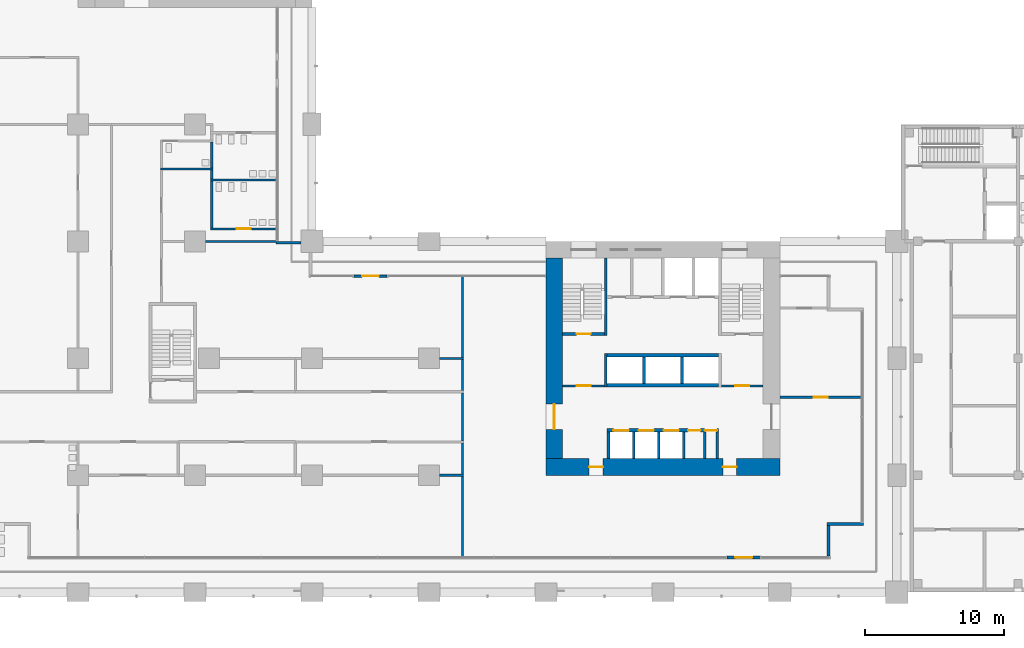
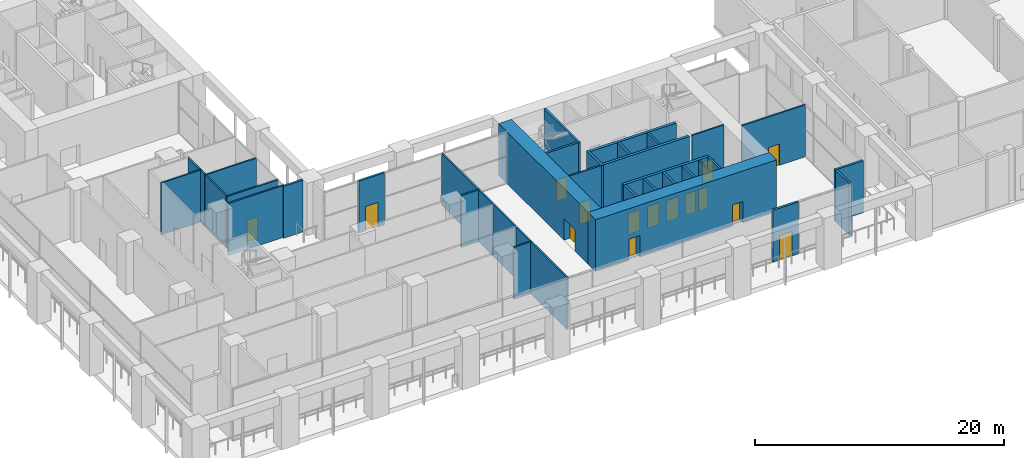
# One storey, part 16 of 33: 38 walls, 15 doors, 15 openings.
"""IFC4 building model written with IfcOpenShell, lengths in metres."""

import ifcopenshell
import ifcopenshell.guid

model = None  # the IFC model being written
_history = None  # IfcOwnerHistory: only IFC2X3 demands one
_inside = {}  # id of a spatial element -> (the spatial element, [elements in it])
_under = {}  # id of a project, library or spatial element -> (it, [spatial elements below it])
_declared = {}  # id of a project -> (the project, [libraries it declares])
_typed = {}  # id of a type object -> (the type object, [elements of that type])
_made_of = {}  # id of a material, layer set ... -> (it, [elements and type objects made of it])


def new_model(schema):
    """Start an empty IFC model of exactly this schema.

    Asked for "IFC4X3", IfcOpenShell would pick the latest addendum, in which some entities
    have other attributes; the version numbers below select the first issue.
    IFC2X3 requires an IfcOwnerHistory on every rooted entity: one is made here for all.
    """
    global model, _history
    if schema == "IFC4X3":
        model = ifcopenshell.file(schema_version=(4, 3, 0, 0))
    else:
        model = ifcopenshell.file(schema=schema)
    _inside.clear()
    _under.clear()
    _declared.clear()
    _typed.clear()
    _made_of.clear()
    _history = None
    if model.schema == "IFC2X3":
        org = make("IfcOrganization", Name="unknown")
        user = make(
            "IfcPersonAndOrganization",
            ThePerson=make("IfcPerson", FamilyName="unknown"),
            TheOrganization=org,
        )
        app = make(
            "IfcApplication",
            ApplicationDeveloper=org,
            Version="unknown",
            ApplicationFullName="unknown",
            ApplicationIdentifier="unknown",
        )
        _history = make(
            "IfcOwnerHistory",
            OwningUser=user,
            OwningApplication=app,
            ChangeAction="ADDED",
            CreationDate=0,
        )
    return model


def make(cls, **values):
    """One entity of the class cls with the attributes given. An attribute that is None is left unset."""
    return model.create_entity(
        cls, **{name: value for name, value in values.items() if value is not None}
    )


def rooted(cls, **values):
    """An entity with a GlobalId (a new one), such as an element, a storey or a relation."""
    return make(cls, GlobalId=ifcopenshell.guid.new(), OwnerHistory=_history, **values)


def si_unit(unit_type, name, prefix=None):
    """IfcSIUnit, for example si_unit("LENGTHUNIT", "METRE", prefix="MILLI")."""
    return make("IfcSIUnit", UnitType=unit_type, Prefix=prefix, Name=name)


def assignment(units):
    """IfcUnitAssignment: the units of a project."""
    return None if units is None else make("IfcUnitAssignment", Units=units)


def point(xyz):
    """IfcCartesianPoint."""
    return None if xyz is None else make("IfcCartesianPoint", Coordinates=xyz)


def direction(xyz):
    """IfcDirection."""
    return None if xyz is None else make("IfcDirection", DirectionRatios=xyz)


def frame(location, z_axis=None, x_axis=None):
    """IfcAxis2Placement3D, a coordinate frame: its origin and axes. An axis left out is left unset."""
    return make(
        "IfcAxis2Placement3D",
        Location=point(location),
        Axis=direction(z_axis),
        RefDirection=direction(x_axis),
    )


def frame_2d(location, x_axis=None):
    """IfcAxis2Placement2D, a coordinate frame in the plane: its origin and x axis."""
    return make(
        "IfcAxis2Placement2D", Location=point(location), RefDirection=direction(x_axis)
    )


def origin():
    """The frame at (0, 0, 0) with its axes left unset."""
    return frame((0.0, 0.0, 0.0))


def place(relative_to, where):
    """IfcLocalPlacement: puts the frame where relative to a parent placement (None: the world)."""
    return make(
        "IfcLocalPlacement", PlacementRelTo=relative_to, RelativePlacement=where
    )


def context(
    kind, dimensions, precision=None, world=None, true_north=None, identifier=None
):
    """IfcGeometricRepresentationContext, for example the 3D "Model" context."""
    return make(
        "IfcGeometricRepresentationContext",
        ContextIdentifier=identifier,
        ContextType=kind,
        CoordinateSpaceDimension=dimensions,
        Precision=precision,
        WorldCoordinateSystem=world,
        TrueNorth=true_north,
    )


def subcontext(parent, identifier, kind, view, scale=None):
    """IfcGeometricRepresentationSubContext, for example "Body" below "Model"."""
    return make(
        "IfcGeometricRepresentationSubContext",
        ContextIdentifier=identifier,
        ContextType=kind,
        ParentContext=parent,
        TargetScale=scale,
        TargetView=view,
    )


def project(units=None, contexts=None):
    """IfcProject with its units and contexts."""
    return rooted(
        "IfcProject",
        Name="project",
        RepresentationContexts=contexts,
        UnitsInContext=assignment(units),
    )


def spatial(cls, under=None, at=None, **own):
    """A site, building, storey or space (cls), placed at a placement, below another one or the project."""
    s = rooted(cls, ObjectPlacement=at, **own)
    if under is not None:
        _under.setdefault(under.id(), (under, []))[1].append(s)
    return s


def profile(cls, at=None, kind="AREA", **sizes):
    """A parametric profile (cls). Its sizes go by their IFC names, for example OverallWidth=200.0."""
    return make(cls, ProfileType=kind, Position=at, **sizes)


def rectangle(**sizes):
    """IfcRectangleProfileDef."""
    return profile("IfcRectangleProfileDef", **sizes)


def extrude(swept, where, along, depth):
    """IfcExtrudedAreaSolid: the profile swept, set in the frame where, extruded along a direction by depth."""
    return make(
        "IfcExtrudedAreaSolid",
        SweptArea=swept,
        Position=where,
        ExtrudedDirection=direction(along),
        Depth=depth,
    )


def shape(context_of_items, identifier, shape_type, items):
    """IfcShapeRepresentation: the items that make up one representation, for example the "Body"."""
    return make(
        "IfcShapeRepresentation",
        ContextOfItems=context_of_items,
        RepresentationIdentifier=identifier,
        RepresentationType=shape_type,
        Items=items,
    )


def material(Name=None, Category=None):
    """IfcMaterial."""
    return make("IfcMaterial", Name=Name, Category=Category)


def layer(
    of_material, thickness, ventilated=None, Name=None, Category=None, Priority=None
):
    """IfcMaterialLayer: one layer of a wall or slab, of a material (None: an air gap)."""
    return make(
        "IfcMaterialLayer",
        Material=of_material,
        LayerThickness=thickness,
        IsVentilated=ventilated,
        Name=Name,
        Category=Category,
        Priority=Priority,
    )


def layer_set(layers, Name=None):
    """IfcMaterialLayerSet."""
    return make("IfcMaterialLayerSet", MaterialLayers=layers, LayerSetName=Name)


def made_of(thing, what):
    """Note that an element or type object is made of a material, layer set ...; save() writes the relation."""
    if what is not None:
        _made_of.setdefault(what.id(), (what, []))[1].append(thing)
    return thing


def type_object(cls, material=None, **own):
    """A type object (cls), such as IfcWallType, which elements share."""
    return made_of(rooted(cls, **own), material)


def element(
    cls,
    number,
    at=None,
    inside=None,
    cuts=None,
    type_object=None,
    material=None,
    context=None,
    identifier="Body",
    shape_type=None,
    held_by="IfcProductDefinitionShape",
    body=None,
    shapes=None,
    **own,
):
    """One element of the class cls, such as IfcWall. Its Tag is "e" and its number.

    at: its placement. inside: the storey or other place that contains it. cuts: it is an
    opening in that element (IfcRelVoidsElement). A single representation is given by context,
    identifier, shape_type and body (its items); several are given by shapes. held_by: the class
    of the entity that holds the representations. save() writes the other relations.
    """
    e = rooted(cls, Tag="e%d" % number, ObjectPlacement=at, **own)
    if body is not None:
        shapes = [shape(context, identifier, shape_type, body)]
    if shapes is not None:
        e.Representation = make(held_by, Representations=shapes)
    if inside is not None:
        _inside.setdefault(inside.id(), (inside, []))[1].append(e)
    if cuts is not None:
        rooted(
            "IfcRelVoidsElement", RelatingBuildingElement=cuts, RelatedOpeningElement=e
        )
    if type_object is not None:
        _typed.setdefault(type_object.id(), (type_object, []))[1].append(e)
    return made_of(e, material)


def fill(opening, filler):
    """IfcRelFillsElement: the door or window that sits in an opening."""
    return rooted(
        "IfcRelFillsElement",
        RelatingOpeningElement=opening,
        RelatedBuildingElement=filler,
    )


def aggregate(whole, parts):
    """IfcRelAggregates: a whole, such as a stair, and the parts it consists of."""
    return rooted("IfcRelAggregates", RelatingObject=whole, RelatedObjects=parts)


def save(model, path):
    """Write the relations noted so far, then the file.

    IfcRelAggregates (storeys below a building ...), IfcRelContainedInSpatialStructure (elements
    in a storey), IfcRelDefinesByType, IfcRelAssociatesMaterial and IfcRelDeclares: one each for
    every whole, place, type object, material and project.
    """
    for whole, parts in _under.values():
        aggregate(whole, parts)
    for where, things in _inside.values():
        rooted(
            "IfcRelContainedInSpatialStructure",
            RelatedElements=things,
            RelatingStructure=where,
        )
    for kind, things in _typed.values():
        rooted("IfcRelDefinesByType", RelatedObjects=things, RelatingType=kind)
    for what, things in _made_of.values():
        rooted("IfcRelAssociatesMaterial", RelatedObjects=things, RelatingMaterial=what)
    for by, libraries in _declared.values():
        rooted("IfcRelDeclares", RelatingContext=by, RelatedDefinitions=libraries)
    model.write(path)


model = new_model("IFC4")

# Units and contexts
model_context = context("Model", 3, precision=1e-05, world=origin(), true_north=direction((0.0, 1.0)))
body_context = subcontext(model_context, "Body", "Model", "MODEL_VIEW")
ifc_project = project(units=[si_unit("LENGTHUNIT", "METRE"), si_unit("AREAUNIT", "SQUARE_METRE"), si_unit("VOLUMEUNIT", "CUBIC_METRE"), si_unit("PLANEANGLEUNIT", "RADIAN"), si_unit("MASSUNIT", "GRAM", prefix="KILO")], contexts=[model_context])

# Site, building, storey
site_placement = place(None, origin())
site = spatial("IfcSite", under=ifc_project, at=site_placement, CompositionType="ELEMENT")
building_placement = place(site_placement, origin())
building = spatial("IfcBuilding", under=site, at=building_placement, Name="Vermilion Gate Residences", CompositionType="ELEMENT")
storey_placement = place(building_placement, frame((0.0, 0.0, 14.39990234375)))
storey = spatial("IfcBuildingStorey", under=building, at=storey_placement, Name="L02", CompositionType="ELEMENT", Elevation=14.39990234375)

# Wall
ifc_material_1 = material(Name="Masonry blockwork", Category="masonry")
ifc_layer_1 = layer(ifc_material_1, 0.14990234375)
ifc_layer_set_1 = layer_set([ifc_layer_1], Name="BLOCKWORK PARTITION 150 EI 120")
wall_type_1 = type_object("IfcWallType", Name="BLOCKWORK PARTITION 150 EI 120", PredefinedType="PARTITIONING", material=ifc_layer_set_1)
wall_1_placement = place(storey_placement, frame((53.407470703125, 9.60009765625, 0.0), z_axis=(0.0, 0.0, 1.0), x_axis=(0.0, 1.0, 0.0)))
element("IfcWall", 1, at=wall_1_placement, inside=storey, type_object=wall_type_1, Name="Core room partition A02-SR-P0", PredefinedType="PARTITIONING", context=body_context, shape_type="SweptSolid", body=[
    extrude(rectangle(XDim=1.89990234375, YDim=0.14990234375, at=frame_2d((0.949951171875, 0.0))), origin(), (0.0, 0.0, 1.0), 5.10009765625),
])

# Wall, opening, door
wall_2_placement = place(storey_placement, frame((43.199951171875, 14.824951171875, 0.0), z_axis=(0.0, 0.0, 1.0), x_axis=(1.0, 0.0, 0.0)))
wall_2 = element("IfcWall", 2, at=wall_2_placement, inside=storey, type_object=wall_type_1, Name="Core room partition A02-VW-S", PredefinedType="PARTITIONING", context=body_context, shape_type="SweptSolid", body=[
    extrude(rectangle(XDim=3.0, YDim=0.14990234375, at=frame_2d((1.5, 0.0))), origin(), (0.0, 0.0, 1.0), 5.10009765625),
])
opening_1_placement = place(wall_2_placement, frame((1.0, 0.0, 0.0)))
opening_1 = element("IfcOpeningElement", 3, at=opening_1_placement, cuts=wall_2, Name="Opening DK02014", PredefinedType="OPENING", context=body_context, shape_type="SweptSolid", body=[
    extrude(rectangle(XDim=1.0, YDim=2.10009765625, at=frame_2d((0.5, 1.050048828125))), frame((0.0, 0.0849609375, 0.0), z_axis=(0.0, -1.0, 0.0), x_axis=(1.0, 0.0, 0.0)), (0.0, 0.0, 1.0), 0.169921875),
])
ifc_material_2 = material(Name="Steel", Category="steel")
door_type_1 = type_object("IfcDoorType", Name="FIRE DOOR FD60 1000 X 2100", OperationType="SINGLE_SWING_LEFT", PredefinedType="DOOR", material=ifc_material_2)
door_1_placement = place(opening_1_placement, frame((1.0, 0.0, 0.0), z_axis=(0.0, 0.0, 1.0), x_axis=(-1.0, 0.0, 0.0)))
door_1 = element("IfcDoor", 4, at=door_1_placement, inside=storey, type_object=door_type_1, Name="Stair vestibule door A02", OperationType="SINGLE_SWING_RIGHT", OverallHeight=2.10009765625, OverallWidth=1.0, PredefinedType="DOOR", context=body_context, shape_type="SweptSolid", body=[
    extrude(rectangle(XDim=1.0, YDim=2.10009765625, at=frame_2d((0.5, 1.050048828125))), frame((0.0, 0.02490234375, 0.0), z_axis=(0.0, -1.0, 0.0), x_axis=(1.0, 0.0, 0.0)), (0.0, 0.0, 1.0), 0.050048828125),
])
fill(opening_1, door_1)

wall_3_placement = place(storey_placement, frame((54.60009765625, 14.824951171875, 0.0), z_axis=(0.0, 0.0, 1.0), x_axis=(1.0, 0.0, 0.0)))
wall_3 = element("IfcWall", 5, at=wall_3_placement, inside=storey, type_object=wall_type_1, Name="Core room partition A02-VE-S", PredefinedType="PARTITIONING", context=body_context, shape_type="SweptSolid", body=[
    extrude(rectangle(XDim=3.0, YDim=0.14990234375, at=frame_2d((1.5, 0.0))), origin(), (0.0, 0.0, 1.0), 5.10009765625),
])
opening_2_placement = place(wall_3_placement, frame((1.0, 0.0, 0.0)))
opening_2 = element("IfcOpeningElement", 6, at=opening_2_placement, cuts=wall_3, Name="Opening DK02016", PredefinedType="OPENING", context=body_context, shape_type="SweptSolid", body=[
    extrude(rectangle(XDim=1.0, YDim=2.10009765625, at=frame_2d((0.5, 1.050048828125))), frame((0.0, 0.0849609375, 0.0), z_axis=(0.0, -1.0, 0.0), x_axis=(1.0, 0.0, 0.0)), (0.0, 0.0, 1.0), 0.169921875),
])
door_2_placement = place(opening_2_placement, frame((1.0, 0.0, 0.0), z_axis=(0.0, 0.0, 1.0), x_axis=(-1.0, 0.0, 0.0)))
door_2 = element("IfcDoor", 7, at=door_2_placement, inside=storey, type_object=door_type_1, Name="Stair vestibule door A02", OperationType="SINGLE_SWING_LEFT", OverallHeight=2.10009765625, OverallWidth=1.0, PredefinedType="DOOR", context=body_context, shape_type="SweptSolid", body=[
    extrude(rectangle(XDim=1.0, YDim=2.10009765625, at=frame_2d((0.5, 1.050048828125))), frame((0.0, 0.02490234375, 0.0), z_axis=(0.0, -1.0, 0.0), x_axis=(1.0, 0.0, 0.0)), (0.0, 0.0, 1.0), 0.050048828125),
])
fill(opening_2, door_2)

ifc_material_3 = material(Name="Insulated steel stud wall with terracotta rainscreen", Category="masonry")
ifc_layer_2 = layer(ifc_material_3, 0.199951171875)
ifc_layer_set_2 = layer_set([ifc_layer_2], Name="EXTERNAL WALL 200 TERRACOTTA RAINSCREEN")
wall_type_2 = type_object("IfcWallType", Name="EXTERNAL WALL 200 TERRACOTTA RAINSCREEN", PredefinedType="SOLIDWALL", material=ifc_layer_set_2)
wall_4_placement = place(storey_placement, frame((55.0, 2.5, 0.0), z_axis=(0.0, 0.0, 1.0), x_axis=(1.0, 0.0, 0.0)))
wall_4 = element("IfcWall", 8, at=wall_4_placement, inside=storey, type_object=wall_type_2, Name="External wall", PredefinedType="SOLIDWALL", context=body_context, shape_type="SweptSolid", body=[
    extrude(rectangle(XDim=2.39990234375, YDim=0.199951171875, at=frame_2d((1.199951171875, 0.0))), origin(), (0.0, 0.0, 1.0), 5.10009765625),
])
opening_3_placement = place(wall_4_placement, frame((0.60009765625, 0.0, 0.0)))
opening_3 = element("IfcOpeningElement", 9, at=opening_3_placement, cuts=wall_4, Name="Opening DE02001", PredefinedType="OPENING", context=body_context, shape_type="SweptSolid", body=[
    extrude(rectangle(XDim=1.199951171875, YDim=2.39990234375, at=frame_2d((0.60009765625, 1.199951171875))), frame((0.0, 0.10986328125, 0.0), z_axis=(0.0, -1.0, 0.0), x_axis=(1.0, 0.0, 0.0)), (0.0, 0.0, 1.0), 0.219970703125),
])
ifc_material_4 = material(Name="Aluminium and clear glass", Category="aluminium")
door_type_2 = type_object("IfcDoorType", Name="GLAZED EXTERNAL DOOR 1200 X 2400", OperationType="SINGLE_SWING_LEFT", PredefinedType="DOOR", material=ifc_material_4)
door_3_placement = place(opening_3_placement, frame((1.199951171875, 0.0, 0.0), z_axis=(0.0, 0.0, 1.0), x_axis=(-1.0, 0.0, 0.0)))
door_3 = element("IfcDoor", 10, at=door_3_placement, inside=storey, type_object=door_type_2, Name="Terrace door", OperationType="SINGLE_SWING_RIGHT", OverallHeight=2.39990234375, OverallWidth=1.199951171875, PredefinedType="DOOR", context=body_context, shape_type="SweptSolid", body=[
    extrude(rectangle(XDim=1.199951171875, YDim=2.39990234375, at=frame_2d((0.60009765625, 1.199951171875))), frame((0.0, 0.02490234375, 0.0), z_axis=(0.0, -1.0, 0.0), x_axis=(1.0, 0.0, 0.0)), (0.0, 0.0, 1.0), 0.050048828125),
])
fill(opening_3, door_3)

# Walls
wall_5_placement = place(storey_placement, frame((62.300048828125, 2.60009765625, 0.0), z_axis=(0.0, 0.0, 1.0), x_axis=(0.0, 1.0, 0.0)))
element("IfcWall", 11, at=wall_5_placement, inside=storey, type_object=wall_type_2, Name="External wall", PredefinedType="SOLIDWALL", context=body_context, shape_type="SweptSolid", body=[
    extrude(rectangle(XDim=2.199951171875, YDim=0.199951171875, at=frame_2d((1.10009765625, 0.0))), origin(), (0.0, 0.0, 1.0), 5.10009765625),
])
wall_6_placement = place(storey_placement, frame((62.199951171875, 4.89990234375, 0.0), z_axis=(0.0, 0.0, 1.0), x_axis=(1.0, 0.0, 0.0)))
element("IfcWall", 12, at=wall_6_placement, inside=storey, type_object=wall_type_2, Name="External wall", PredefinedType="SOLIDWALL", context=body_context, shape_type="SweptSolid", body=[
    extrude(rectangle(XDim=2.60009765625, YDim=0.199951171875, at=frame_2d((1.300048828125, 0.0))), origin(), (0.0, 0.0, 1.0), 5.10009765625),
])

# Wall, opening, door
wall_7_placement = place(storey_placement, frame((30.60009765625, 22.699951171875, 0.0), z_axis=(0.0, 0.0, 1.0), x_axis=(-1.0, 0.0, 0.0)))
wall_7 = element("IfcWall", 13, at=wall_7_placement, inside=storey, type_object=wall_type_2, Name="External wall", PredefinedType="SOLIDWALL", context=body_context, shape_type="SweptSolid", body=[
    extrude(rectangle(XDim=2.400146484375, YDim=0.199951171875, at=frame_2d((1.2001953125, 0.0))), origin(), (0.0, 0.0, 1.0), 5.10009765625),
])
opening_4_placement = place(wall_7_placement, frame((0.60009765625, 0.0, 0.0)))
opening_4 = element("IfcOpeningElement", 14, at=opening_4_placement, cuts=wall_7, Name="Opening DE02002", PredefinedType="OPENING", context=body_context, shape_type="SweptSolid", body=[
    extrude(rectangle(XDim=1.199951171875, YDim=2.39990234375, at=frame_2d((0.60009765625, 1.199951171875))), frame((0.0, 0.10986328125, 0.0), z_axis=(0.0, -1.0, 0.0), x_axis=(1.0, 0.0, 0.0)), (0.0, 0.0, 1.0), 0.219970703125),
])
door_4_placement = place(opening_4_placement, frame((1.199951171875, 0.0, 0.0), z_axis=(0.0, 0.0, 1.0), x_axis=(-1.0, 0.0, 0.0)))
door_4 = element("IfcDoor", 15, at=door_4_placement, inside=storey, type_object=door_type_2, Name="Terrace door", OperationType="SINGLE_SWING_RIGHT", OverallHeight=2.39990234375, OverallWidth=1.199951171875, PredefinedType="DOOR", context=body_context, shape_type="SweptSolid", body=[
    extrude(rectangle(XDim=1.199951171875, YDim=2.39990234375, at=frame_2d((0.60009765625, 1.199951171875))), frame((0.0, 0.02490234375, 0.0), z_axis=(0.0, -1.0, 0.0), x_axis=(1.0, 0.0, 0.0)), (0.0, 0.0, 1.0), 0.050048828125),
])
fill(opening_4, door_4)

# Walls
wall_8_placement = place(storey_placement, frame((24.39990234375, 25.10009765625, 0.0), z_axis=(0.0, 0.0, 1.0), x_axis=(-1.0, 0.0, 0.0)))
element("IfcWall", 16, at=wall_8_placement, inside=storey, type_object=wall_type_2, Name="External wall", PredefinedType="SOLIDWALL", context=body_context, shape_type="SweptSolid", body=[
    extrude(rectangle(XDim=1.7998046875, YDim=0.199951171875, at=frame_2d((0.89990234375, 0.0))), origin(), (0.0, 0.0, 1.0), 5.10009765625),
])
ifc_material_5 = material(Name="Gypsum board on steel studs", Category="steel")
ifc_layer_3 = layer(ifc_material_5, 0.14990234375)
ifc_layer_set_3 = layer_set([ifc_layer_3], Name="PARTITION 150 EI 60 (AMENITY)")
wall_type_3 = type_object("IfcWallType", Name="PARTITION 150 EI 60 (AMENITY)", PredefinedType="PARTITIONING", material=ifc_layer_set_3)
wall_9_placement = place(storey_placement, frame((17.550048828125, 25.199951171875, 0.0), z_axis=(0.0, 0.0, 1.0), x_axis=(1.0, 0.0, 0.0)))
element("IfcWall", 17, at=wall_9_placement, inside=storey, type_object=wall_type_3, Name="Partition 21", PredefinedType="PARTITIONING", context=body_context, shape_type="SweptSolid", body=[
    extrude(rectangle(XDim=5.14990234375, YDim=0.14990234375, at=frame_2d((2.574951171875, 0.0))), origin(), (0.0, 0.0, 1.0), 5.10009765625),
])
wall_10_placement = place(storey_placement, frame((14.324951171875, 30.39990234375, 0.0), z_axis=(0.0, 0.0, 1.0), x_axis=(1.0, 0.0, 0.0)))
element("IfcWall", 18, at=wall_10_placement, inside=storey, type_object=wall_type_3, Name="Partition 23", PredefinedType="PARTITIONING", context=body_context, shape_type="SweptSolid", body=[
    extrude(rectangle(XDim=3.75, YDim=0.14990234375, at=frame_2d((1.875, 0.0))), origin(), (0.0, 0.0, 1.0), 5.10009765625),
])
wall_11_placement = place(storey_placement, frame((18.0, 26.175048828125, 0.0), z_axis=(0.0, 0.0, 1.0), x_axis=(0.0, 1.0, 0.0)))
element("IfcWall", 19, at=wall_11_placement, inside=storey, type_object=wall_type_3, Name="Partition 31", PredefinedType="PARTITIONING", context=body_context, shape_type="SweptSolid", body=[
    extrude(rectangle(XDim=3.349853515625, YDim=0.14990234375, at=frame_2d((1.6748046875, 0.0))), origin(), (0.0, 0.0, 1.0), 5.10009765625),
])

# Wall, opening, door
wall_12_placement = place(storey_placement, frame((17.925048828125, 26.10009765625, 0.0), z_axis=(0.0, 0.0, 1.0), x_axis=(1.0, 0.0, 0.0)))
wall_12 = element("IfcWall", 20, at=wall_12_placement, inside=storey, type_object=wall_type_3, Name="Partition 32", PredefinedType="PARTITIONING", context=body_context, shape_type="SweptSolid", body=[
    extrude(rectangle(XDim=4.77490234375, YDim=0.14990234375, at=frame_2d((2.387451171875, 0.0))), origin(), (0.0, 0.0, 1.0), 5.10009765625),
])
opening_5_placement = place(wall_12_placement, frame((1.887451171875, 0.0, 0.0)))
opening_5 = element("IfcOpeningElement", 21, at=opening_5_placement, cuts=wall_12, Name="Opening DM02012", PredefinedType="OPENING", context=body_context, shape_type="SweptSolid", body=[
    extrude(rectangle(XDim=1.0, YDim=2.10009765625, at=frame_2d((0.5, 1.050048828125))), frame((0.0, 0.0849609375, 0.0), z_axis=(0.0, -1.0, 0.0), x_axis=(1.0, 0.0, 0.0)), (0.0, 0.0, 1.0), 0.169921875),
])
ifc_material_6 = material(Name="Steel", Category="steel")
door_type_3 = type_object("IfcDoorType", Name="DOOR 1000 X 2100 FD30 (AMENITY)", OperationType="SINGLE_SWING_LEFT", PredefinedType="DOOR", material=ifc_material_6)
door_5_placement = place(opening_5_placement, origin())
door_5 = element("IfcDoor", 22, at=door_5_placement, inside=storey, type_object=door_type_3, Name="Door L02 12", OperationType="SINGLE_SWING_LEFT", OverallHeight=2.10009765625, OverallWidth=1.0, PredefinedType="DOOR", context=body_context, shape_type="SweptSolid", body=[
    extrude(rectangle(XDim=1.0, YDim=2.10009765625, at=frame_2d((0.5, 1.050048828125))), frame((0.0, 0.02490234375, 0.0), z_axis=(0.0, -1.0, 0.0), x_axis=(1.0, 0.0, 0.0)), (0.0, 0.0, 1.0), 0.050048828125),
])
fill(opening_5, door_5)

# Walls
wall_13_placement = place(storey_placement, frame((18.0, 29.675048828125, 0.0), z_axis=(0.0, 0.0, 1.0), x_axis=(0.0, 1.0, 0.0)))
element("IfcWall", 23, at=wall_13_placement, inside=storey, type_object=wall_type_3, Name="Partition 33", PredefinedType="PARTITIONING", context=body_context, shape_type="SweptSolid", body=[
    extrude(rectangle(XDim=0.64990234375, YDim=0.14990234375, at=frame_2d((0.324951171875, 0.0))), origin(), (0.0, 0.0, 1.0), 5.10009765625),
])
wall_14_placement = place(storey_placement, frame((17.925048828125, 29.60009765625, 0.0), z_axis=(0.0, 0.0, 1.0), x_axis=(1.0, 0.0, 0.0)))
element("IfcWall", 24, at=wall_14_placement, inside=storey, type_object=wall_type_3, Name="Partition 34", PredefinedType="PARTITIONING", context=body_context, shape_type="SweptSolid", body=[
    extrude(rectangle(XDim=4.77490234375, YDim=0.14990234375, at=frame_2d((2.387451171875, 0.0))), origin(), (0.0, 0.0, 1.0), 5.10009765625),
])
wall_15_placement = place(storey_placement, frame((18.0, 30.47509765625, 0.0), z_axis=(0.0, 0.0, 1.0), x_axis=(0.0, 1.0, 0.0)))
element("IfcWall", 25, at=wall_15_placement, inside=storey, type_object=wall_type_3, Name="Partition 35", PredefinedType="PARTITIONING", context=body_context, shape_type="SweptSolid", body=[
    extrude(rectangle(XDim=1.849853515625, YDim=0.14990234375, at=frame_2d((0.9248046875, 0.0))), origin(), (0.0, 0.0, 1.0), 5.10009765625),
])
for number, where, z_axis, x_axis, name in (
    (26, (34.35009765625, 8.39990234375, 0.0), (0.0, 0.0, 1.0), (1.0, 0.0, 0.0), "Partition 42"),
    (27, (34.35009765625, 16.800048828125, 0.0), (0.0, 0.0, 1.0), (1.0, 0.0, 0.0), "Partition 48"),
):
    element("IfcWall", number, at=place(storey_placement, frame(where, z_axis=z_axis, x_axis=x_axis)), inside=storey, type_object=wall_type_3, Name=name, PredefinedType="PARTITIONING", context=body_context, shape_type="SweptSolid", body=[
        extrude(rectangle(XDim=1.724853515625, YDim=0.14990234375, at=frame_2d((0.8623046875, 0.0))), origin(), (0.0, 0.0, 1.0), 5.10009765625),
    ])
wall_16_placement = place(storey_placement, frame((36.0, 2.5, 0.0), z_axis=(0.0, 0.0, 1.0), x_axis=(0.0, 1.0, 0.0)))
element("IfcWall", 28, at=wall_16_placement, inside=storey, type_object=wall_type_3, Name="Partition 49", PredefinedType="PARTITIONING", context=body_context, shape_type="SweptSolid", body=[
    extrude(rectangle(XDim=5.824951171875, YDim=0.14990234375, at=frame_2d((2.91259765625, 0.0))), origin(), (0.0, 0.0, 1.0), 5.10009765625),
])
wall_17_placement = place(storey_placement, frame((36.0, 8.47509765625, 0.0), z_axis=(0.0, 0.0, 1.0), x_axis=(0.0, 1.0, 0.0)))
element("IfcWall", 29, at=wall_17_placement, inside=storey, type_object=wall_type_3, Name="Partition 50", PredefinedType="PARTITIONING", context=body_context, shape_type="SweptSolid", body=[
    extrude(rectangle(XDim=2.25, YDim=0.14990234375, at=frame_2d((1.125, 0.0))), origin(), (0.0, 0.0, 1.0), 5.10009765625),
])
wall_18_placement = place(storey_placement, frame((36.0, 10.875, 0.0), z_axis=(0.0, 0.0, 1.0), x_axis=(0.0, 1.0, 0.0)))
element("IfcWall", 30, at=wall_18_placement, inside=storey, type_object=wall_type_3, Name="Partition 51", PredefinedType="PARTITIONING", context=body_context, shape_type="SweptSolid", body=[
    extrude(rectangle(XDim=3.449951171875, YDim=0.14990234375, at=frame_2d((1.72509765625, 0.0))), origin(), (0.0, 0.0, 1.0), 5.10009765625),
])
wall_19_placement = place(storey_placement, frame((36.0, 14.47509765625, 0.0), z_axis=(0.0, 0.0, 1.0), x_axis=(0.0, 1.0, 0.0)))
element("IfcWall", 31, at=wall_19_placement, inside=storey, type_object=wall_type_3, Name="Partition 52", PredefinedType="PARTITIONING", context=body_context, shape_type="SweptSolid", body=[
    extrude(rectangle(XDim=2.25, YDim=0.14990234375, at=frame_2d((1.125, 0.0))), origin(), (0.0, 0.0, 1.0), 5.10009765625),
])
wall_20_placement = place(storey_placement, frame((36.0, 16.875, 0.0), z_axis=(0.0, 0.0, 1.0), x_axis=(0.0, 1.0, 0.0)))
element("IfcWall", 32, at=wall_20_placement, inside=storey, type_object=wall_type_3, Name="Partition 53", PredefinedType="PARTITIONING", context=body_context, shape_type="SweptSolid", body=[
    extrude(rectangle(XDim=5.824951171875, YDim=0.14990234375, at=frame_2d((2.91259765625, 0.0))), origin(), (0.0, 0.0, 1.0), 5.10009765625),
])

# Wall, opening, door
wall_21_placement = place(storey_placement, frame((58.800048828125, 14.0, 0.0), z_axis=(0.0, 0.0, 1.0), x_axis=(1.0, 0.0, 0.0)))
wall_21 = element("IfcWall", 33, at=wall_21_placement, inside=storey, type_object=wall_type_3, Name="Partition 54", PredefinedType="PARTITIONING", context=body_context, shape_type="SweptSolid", body=[
    extrude(rectangle(XDim=5.89990234375, YDim=0.14990234375, at=frame_2d((2.949951171875, 0.0))), origin(), (0.0, 0.0, 1.0), 5.10009765625),
])
opening_6_placement = place(wall_21_placement, frame((2.449951171875, 0.0, 0.0)))
opening_6 = element("IfcOpeningElement", 34, at=opening_6_placement, cuts=wall_21, Name="Opening DM02017", PredefinedType="OPENING", context=body_context, shape_type="SweptSolid", body=[
    extrude(rectangle(XDim=1.0, YDim=2.10009765625, at=frame_2d((0.5, 1.050048828125))), frame((0.0, 0.0849609375, 0.0), z_axis=(0.0, -1.0, 0.0), x_axis=(1.0, 0.0, 0.0)), (0.0, 0.0, 1.0), 0.169921875),
])
door_6_placement = place(opening_6_placement, origin())
door_6 = element("IfcDoor", 35, at=door_6_placement, inside=storey, type_object=door_type_3, Name="Door L02 17", OperationType="SINGLE_SWING_RIGHT", OverallHeight=2.10009765625, OverallWidth=1.0, PredefinedType="DOOR", context=body_context, shape_type="SweptSolid", body=[
    extrude(rectangle(XDim=1.0, YDim=2.10009765625, at=frame_2d((0.5, 1.050048828125))), frame((0.0, 0.02490234375, 0.0), z_axis=(0.0, -1.0, 0.0), x_axis=(1.0, 0.0, 0.0)), (0.0, 0.0, 1.0), 0.050048828125),
])
fill(opening_6, door_6)

# Walls
ifc_material_7 = material(Name="Concrete C60", Category="concrete")
ifc_layer_4 = layer(ifc_material_7, 0.199951171875)
ifc_layer_set_4 = layer_set([ifc_layer_4], Name="RC CORE INTERNAL WALL 200 C60")
wall_type_4 = type_object("IfcWallType", Name="RC CORE INTERNAL WALL 200 C60", PredefinedType="SHEAR", material=ifc_layer_set_4)
for number, where, z_axis, x_axis, name in (
    (36, (46.5, 9.60009765625, 0.0), (0.0, 0.0, 1.0), (0.0, 1.0, 0.0), "Core internal wall A02-LR-D0"),
    (37, (48.300048828125, 9.60009765625, 0.0), (0.0, 0.0, 1.0), (0.0, 1.0, 0.0), "Core internal wall A02-LR-D1"),
    (38, (50.10009765625, 9.60009765625, 0.0), (0.0, 0.0, 1.0), (0.0, 1.0, 0.0), "Core internal wall A02-LR-D2"),
    (39, (51.89990234375, 9.60009765625, 0.0), (0.0, 0.0, 1.0), (0.0, 1.0, 0.0), "Core internal wall A02-LR-D3"),
    (40, (54.300048828125, 9.60009765625, 0.0), (0.0, 0.0, 1.0), (0.0, 1.0, 0.0), "Core internal wall A02-LR-DE"),
    (41, (49.033447265625, 15.0, 0.0), (0.0, 0.0, 1.0), (0.0, 1.0, 0.0), "Core internal wall A02-HR-D1"),
    (42, (51.7666015625, 15.0, 0.0), (0.0, 0.0, 1.0), (0.0, 1.0, 0.0), "Core internal wall A02-HR-D2"),
):
    element("IfcWall", number, at=place(storey_placement, frame(where, z_axis=z_axis, x_axis=x_axis)), inside=storey, type_object=wall_type_4, Name=name, PredefinedType="SHEAR", context=body_context, shape_type="SweptSolid", body=[
        extrude(rectangle(XDim=1.89990234375, YDim=0.199951171875, at=frame_2d((0.949951171875, 0.0))), origin(), (0.0, 0.0, 1.0), 5.10009765625),
    ])
wall_22_placement = place(storey_placement, frame((46.300048828125, 14.75, 0.0), z_axis=(0.0, 0.0, 1.0), x_axis=(0.0, 1.0, 0.0)))
element("IfcWall", 43, at=wall_22_placement, inside=storey, type_object=wall_type_4, Name="Core internal wall A02-WDIV1", PredefinedType="SHEAR", context=body_context, shape_type="SweptSolid", body=[
    extrude(rectangle(XDim=2.39990234375, YDim=0.199951171875, at=frame_2d((1.199951171875, 0.0))), origin(), (0.0, 0.0, 1.0), 5.10009765625),
])
wall_23_placement = place(storey_placement, frame((46.300048828125, 18.449951171875, 0.0), z_axis=(0.0, 0.0, 1.0), x_axis=(0.0, 1.0, 0.0)))
element("IfcWall", 44, at=wall_23_placement, inside=storey, type_object=wall_type_4, Name="Core internal wall A02-WDIV2", PredefinedType="SHEAR", context=body_context, shape_type="SweptSolid", body=[
    extrude(rectangle(XDim=5.550048828125, YDim=0.199951171875, at=frame_2d((2.77490234375, 0.0))), origin(), (0.0, 0.0, 1.0), 5.10009765625),
])

# Wall, opening, door
wall_24_placement = place(storey_placement, frame((43.199951171875, 18.550048828125, 0.0), z_axis=(0.0, 0.0, 1.0), x_axis=(1.0, 0.0, 0.0)))
wall_24 = element("IfcWall", 45, at=wall_24_placement, inside=storey, type_object=wall_type_4, Name="Core internal wall A02-STW-S", PredefinedType="SHEAR", context=body_context, shape_type="SweptSolid", body=[
    extrude(rectangle(XDim=3.0, YDim=0.199951171875, at=frame_2d((1.5, 0.0))), origin(), (0.0, 0.0, 1.0), 5.10009765625),
])
opening_7_placement = place(wall_24_placement, frame((1.0, 0.0, 0.0)))
opening_7 = element("IfcOpeningElement", 46, at=opening_7_placement, cuts=wall_24, Name="Opening DK02015", PredefinedType="OPENING", context=body_context, shape_type="SweptSolid", body=[
    extrude(rectangle(XDim=1.0, YDim=2.10009765625, at=frame_2d((0.5, 1.050048828125))), frame((0.0, 0.10986328125, 0.0), z_axis=(0.0, -1.0, 0.0), x_axis=(1.0, 0.0, 0.0)), (0.0, 0.0, 1.0), 0.219970703125),
])
door_7_placement = place(opening_7_placement, origin())
door_7 = element("IfcDoor", 47, at=door_7_placement, inside=storey, type_object=door_type_1, Name="Stair door A02", OperationType="SINGLE_SWING_RIGHT", OverallHeight=2.10009765625, OverallWidth=1.0, PredefinedType="DOOR", context=body_context, shape_type="SweptSolid", body=[
    extrude(rectangle(XDim=1.0, YDim=2.10009765625, at=frame_2d((0.5, 1.050048828125))), frame((0.0, 0.02490234375, 0.0), z_axis=(0.0, -1.0, 0.0), x_axis=(1.0, 0.0, 0.0)), (0.0, 0.0, 1.0), 0.050048828125),
])
fill(opening_7, door_7)

# Wall, openings, doors
ifc_material_8 = material(Name="Concrete C80", Category="concrete")
ifc_layer_5 = layer(ifc_material_8, 1.199951171875)
ifc_layer_set_5 = layer_set([ifc_layer_5], Name="RC CORE WALL 1200 C80")
wall_type_5 = type_object("IfcWallType", Name="RC CORE WALL 1200 C80", PredefinedType="SHEAR", material=ifc_layer_set_5)
wall_25_placement = place(storey_placement, frame((42.0, 9.0, 0.0), z_axis=(0.0, 0.0, 1.0), x_axis=(1.0, 0.0, 0.0)))
wall_25 = element("IfcWall", 48, at=wall_25_placement, inside=storey, type_object=wall_type_5, Name="Core wall A02-OUT-B0", PredefinedType="SHEAR", context=body_context, shape_type="SweptSolid", body=[
    extrude(rectangle(XDim=16.800048828125, YDim=1.199951171875, at=frame_2d((8.39990234375, 0.0))), origin(), (0.0, 0.0, 1.0), 5.10009765625),
])
opening_8_placement = place(wall_25_placement, frame((3.10009765625, 0.0, 0.0)))
opening_8 = element("IfcOpeningElement", 49, at=opening_8_placement, cuts=wall_25, Name="Opening DK02001", PredefinedType="OPENING", context=body_context, shape_type="SweptSolid", body=[
    extrude(rectangle(XDim=1.0, YDim=2.10009765625, at=frame_2d((0.5, 1.050048828125))), frame((0.0, 0.60986328125, 0.0), z_axis=(0.0, -1.0, 0.0), x_axis=(1.0, 0.0, 0.0)), (0.0, 0.0, 1.0), 1.219970703125),
])
opening_9_placement = place(wall_25_placement, frame((12.699951171875, 0.0, 0.0)))
opening_9 = element("IfcOpeningElement", 50, at=opening_9_placement, cuts=wall_25, Name="Opening DK02002", PredefinedType="OPENING", context=body_context, shape_type="SweptSolid", body=[
    extrude(rectangle(XDim=1.0, YDim=2.10009765625, at=frame_2d((0.5, 1.050048828125))), frame((0.0, 0.60986328125, 0.0), z_axis=(0.0, -1.0, 0.0), x_axis=(1.0, 0.0, 0.0)), (0.0, 0.0, 1.0), 1.219970703125),
])
door_8_placement = place(opening_8_placement, origin())
door_8 = element("IfcDoor", 51, at=door_8_placement, inside=storey, type_object=door_type_1, Name="Core lobby side door A02", OperationType="SINGLE_SWING_RIGHT", OverallHeight=2.10009765625, OverallWidth=1.0, PredefinedType="DOOR", context=body_context, shape_type="SweptSolid", body=[
    extrude(rectangle(XDim=1.0, YDim=2.10009765625, at=frame_2d((0.5, 1.050048828125))), frame((0.0, 0.02490234375, 0.0), z_axis=(0.0, -1.0, 0.0), x_axis=(1.0, 0.0, 0.0)), (0.0, 0.0, 1.0), 0.050048828125),
])
fill(opening_8, door_8)
door_9_placement = place(opening_9_placement, origin())
door_9 = element("IfcDoor", 52, at=door_9_placement, inside=storey, type_object=door_type_1, Name="Core lobby side door A02", OperationType="SINGLE_SWING_LEFT", OverallHeight=2.10009765625, OverallWidth=1.0, PredefinedType="DOOR", context=body_context, shape_type="SweptSolid", body=[
    extrude(rectangle(XDim=1.0, YDim=2.10009765625, at=frame_2d((0.5, 1.050048828125))), frame((0.0, 0.02490234375, 0.0), z_axis=(0.0, -1.0, 0.0), x_axis=(1.0, 0.0, 0.0)), (0.0, 0.0, 1.0), 0.050048828125),
])
fill(opening_9, door_9)

# Wall, opening, door
wall_26_placement = place(storey_placement, frame((42.60009765625, 9.60009765625, 0.0), z_axis=(0.0, 0.0, 1.0), x_axis=(0.0, 1.0, 0.0)))
wall_26 = element("IfcWall", 53, at=wall_26_placement, inside=storey, type_object=wall_type_5, Name="Core wall A02-OUT-FR", PredefinedType="SHEAR", context=body_context, shape_type="SweptSolid", body=[
    extrude(rectangle(XDim=14.39990234375, YDim=1.199951171875, at=frame_2d((7.199951171875, 0.0))), origin(), (0.0, 0.0, 1.0), 5.10009765625),
])
opening_10_placement = place(wall_26_placement, frame((2.10009765625, 0.0, 0.0)))
opening_10 = element("IfcOpeningElement", 54, at=opening_10_placement, cuts=wall_26, Name="Opening DK02003", PredefinedType="OPENING", context=body_context, shape_type="SweptSolid", body=[
    extrude(rectangle(XDim=1.800048828125, YDim=2.10009765625, at=frame_2d((0.89990234375, 1.050048828125))), frame((0.0, 0.60986328125, 0.0), z_axis=(0.0, -1.0, 0.0), x_axis=(1.0, 0.0, 0.0)), (0.0, 0.0, 1.0), 1.219970703125),
])
ifc_material_9 = material(Name="Steel", Category="steel")
door_type_4 = type_object("IfcDoorType", Name="CORE LOBBY DOOR FD60 1800 X 2100", OperationType="DOUBLE_DOOR_SINGLE_SWING", PredefinedType="DOOR", material=ifc_material_9)
door_10_placement = place(opening_10_placement, frame((1.800048828125, 0.0, 0.0), z_axis=(0.0, 0.0, 1.0), x_axis=(-1.0, 0.0, 0.0)))
door_10 = element("IfcDoor", 55, at=door_10_placement, inside=storey, type_object=door_type_4, Name="Core lobby door A02", OperationType="DOUBLE_DOOR_SINGLE_SWING", OverallHeight=2.10009765625, OverallWidth=1.800048828125, PredefinedType="DOOR", context=body_context, shape_type="SweptSolid", body=[
    extrude(rectangle(XDim=1.800048828125, YDim=2.10009765625, at=frame_2d((0.89990234375, 1.050048828125))), frame((0.0, 0.02490234375, 0.0), z_axis=(0.0, -1.0, 0.0), x_axis=(1.0, 0.0, 0.0)), (0.0, 0.0, 1.0), 0.050048828125),
])
fill(opening_10, door_10)

# Wall, openings, doors
ifc_material_10 = material(Name="Concrete C60", Category="concrete")
ifc_layer_6 = layer(ifc_material_10, 0.25)
ifc_layer_set_6 = layer_set([ifc_layer_6], Name="RC LIFT SHAFT WALL 250 C60")
wall_type_6 = type_object("IfcWallType", Name="RC LIFT SHAFT WALL 250 C60", PredefinedType="SHEAR", material=ifc_layer_set_6)
wall_27_placement = place(storey_placement, frame((46.39990234375, 11.625, 0.0), z_axis=(0.0, 0.0, 1.0), x_axis=(1.0, 0.0, 0.0)))
wall_27 = element("IfcWall", 56, at=wall_27_placement, inside=storey, type_object=wall_type_6, Name="Lift shaft wall A02-LR-F", PredefinedType="SHEAR", context=body_context, shape_type="SweptSolid", body=[
    extrude(rectangle(XDim=8.0, YDim=0.25, at=frame_2d((4.0, 0.0))), origin(), (0.0, 0.0, 1.0), 5.10009765625),
])
opening_11_placement = place(wall_27_placement, frame((0.449951171875, 0.0, 0.0)))
opening_11 = element("IfcOpeningElement", 57, at=opening_11_placement, cuts=wall_27, Name="Opening LD", PredefinedType="OPENING", context=body_context, shape_type="SweptSolid", body=[
    extrude(rectangle(XDim=1.10009765625, YDim=2.10009765625, at=frame_2d((0.550048828125, 1.050048828125))), frame((0.0, 0.135009765625, 0.0), z_axis=(0.0, -1.0, 0.0), x_axis=(1.0, 0.0, 0.0)), (0.0, 0.0, 1.0), 0.27001953125),
])
opening_12_placement = place(wall_27_placement, frame((2.25, 0.0, 0.0)))
opening_12 = element("IfcOpeningElement", 58, at=opening_12_placement, cuts=wall_27, Name="Opening LD", PredefinedType="OPENING", context=body_context, shape_type="SweptSolid", body=[
    extrude(rectangle(XDim=1.10009765625, YDim=2.10009765625, at=frame_2d((0.550048828125, 1.050048828125))), frame((0.0, 0.135009765625, 0.0), z_axis=(0.0, -1.0, 0.0), x_axis=(1.0, 0.0, 0.0)), (0.0, 0.0, 1.0), 0.27001953125),
])
opening_13_placement = place(wall_27_placement, frame((4.050048828125, 0.0, 0.0)))
opening_13 = element("IfcOpeningElement", 59, at=opening_13_placement, cuts=wall_27, Name="Opening LD", PredefinedType="OPENING", context=body_context, shape_type="SweptSolid", body=[
    extrude(rectangle(XDim=1.10009765625, YDim=2.10009765625, at=frame_2d((0.550048828125, 1.050048828125))), frame((0.0, 0.135009765625, 0.0), z_axis=(0.0, -1.0, 0.0), x_axis=(1.0, 0.0, 0.0)), (0.0, 0.0, 1.0), 0.27001953125),
])
opening_14_placement = place(wall_27_placement, frame((5.816162109375, 0.0, 0.0)))
opening_14 = element("IfcOpeningElement", 60, at=opening_14_placement, cuts=wall_27, Name="Opening DK02008", PredefinedType="OPENING", context=body_context, shape_type="SweptSolid", body=[
    extrude(rectangle(XDim=0.89990234375, YDim=2.10009765625, at=frame_2d((0.449951171875, 1.050048828125))), frame((0.0, 0.135009765625, 0.0), z_axis=(0.0, -1.0, 0.0), x_axis=(1.0, 0.0, 0.0)), (0.0, 0.0, 1.0), 0.27001953125),
])
opening_15_placement = place(wall_27_placement, frame((6.9912109375, 0.0, 0.0)))
opening_15 = element("IfcOpeningElement", 61, at=opening_15_placement, cuts=wall_27, Name="Opening DK02009", PredefinedType="OPENING", context=body_context, shape_type="SweptSolid", body=[
    extrude(rectangle(XDim=0.89990234375, YDim=2.10009765625, at=frame_2d((0.449951171875, 1.050048828125))), frame((0.0, 0.135009765625, 0.0), z_axis=(0.0, -1.0, 0.0), x_axis=(1.0, 0.0, 0.0)), (0.0, 0.0, 1.0), 0.27001953125),
])
ifc_material_11 = material(Name="Stainless steel", Category="steel")
door_type_5 = type_object("IfcDoorType", Name="LIFT LANDING DOOR E60 1100 X 2100", OperationType="DOUBLE_DOOR_SLIDING", PredefinedType="DOOR", material=ifc_material_11)
door_11_placement = place(opening_11_placement, origin())
door_11 = element("IfcDoor", 62, at=door_11_placement, inside=storey, type_object=door_type_5, Name="Lift landing door LRA1", OperationType="DOUBLE_DOOR_SLIDING", OverallHeight=2.10009765625, OverallWidth=1.10009765625, PredefinedType="DOOR", context=body_context, shape_type="SweptSolid", body=[
    extrude(rectangle(XDim=1.10009765625, YDim=2.10009765625, at=frame_2d((0.550048828125, 1.050048828125))), frame((0.0, 0.02490234375, 0.0), z_axis=(0.0, -1.0, 0.0), x_axis=(1.0, 0.0, 0.0)), (0.0, 0.0, 1.0), 0.050048828125),
])
fill(opening_11, door_11)
door_12_placement = place(opening_12_placement, origin())
door_12 = element("IfcDoor", 63, at=door_12_placement, inside=storey, type_object=door_type_5, Name="Lift landing door LRA2", OperationType="DOUBLE_DOOR_SLIDING", OverallHeight=2.10009765625, OverallWidth=1.10009765625, PredefinedType="DOOR", context=body_context, shape_type="SweptSolid", body=[
    extrude(rectangle(XDim=1.10009765625, YDim=2.10009765625, at=frame_2d((0.550048828125, 1.050048828125))), frame((0.0, 0.02490234375, 0.0), z_axis=(0.0, -1.0, 0.0), x_axis=(1.0, 0.0, 0.0)), (0.0, 0.0, 1.0), 0.050048828125),
])
fill(opening_12, door_12)
door_13_placement = place(opening_13_placement, origin())
door_13 = element("IfcDoor", 64, at=door_13_placement, inside=storey, type_object=door_type_5, Name="Lift landing door LRA3", OperationType="DOUBLE_DOOR_SLIDING", OverallHeight=2.10009765625, OverallWidth=1.10009765625, PredefinedType="DOOR", context=body_context, shape_type="SweptSolid", body=[
    extrude(rectangle(XDim=1.10009765625, YDim=2.10009765625, at=frame_2d((0.550048828125, 1.050048828125))), frame((0.0, 0.02490234375, 0.0), z_axis=(0.0, -1.0, 0.0), x_axis=(1.0, 0.0, 0.0)), (0.0, 0.0, 1.0), 0.050048828125),
])
fill(opening_13, door_13)
ifc_material_12 = material(Name="Steel", Category="steel")
door_type_6 = type_object("IfcDoorType", Name="SERVICE ROOM DOOR FD60 900 X 2100", OperationType="SINGLE_SWING_LEFT", PredefinedType="DOOR", material=ifc_material_12)
door_14_placement = place(opening_14_placement, frame((0.89990234375, 0.0, 0.0), z_axis=(0.0, 0.0, 1.0), x_axis=(-1.0, 0.0, 0.0)))
door_14 = element("IfcDoor", 65, at=door_14_placement, inside=storey, type_object=door_type_6, Name="Housekeeping store A02", OperationType="SINGLE_SWING_LEFT", OverallHeight=2.10009765625, OverallWidth=0.89990234375, PredefinedType="DOOR", context=body_context, shape_type="SweptSolid", body=[
    extrude(rectangle(XDim=0.89990234375, YDim=2.10009765625, at=frame_2d((0.449951171875, 1.050048828125))), frame((0.0, 0.02490234375, 0.0), z_axis=(0.0, -1.0, 0.0), x_axis=(1.0, 0.0, 0.0)), (0.0, 0.0, 1.0), 0.050048828125),
])
fill(opening_14, door_14)
door_15_placement = place(opening_15_placement, origin())
door_15 = element("IfcDoor", 66, at=door_15_placement, inside=storey, type_object=door_type_6, Name="Fire equipment store A02", OperationType="SINGLE_SWING_LEFT", OverallHeight=2.10009765625, OverallWidth=0.89990234375, PredefinedType="DOOR", context=body_context, shape_type="SweptSolid", body=[
    extrude(rectangle(XDim=0.89990234375, YDim=2.10009765625, at=frame_2d((0.449951171875, 1.050048828125))), frame((0.0, 0.02490234375, 0.0), z_axis=(0.0, -1.0, 0.0), x_axis=(1.0, 0.0, 0.0)), (0.0, 0.0, 1.0), 0.050048828125),
])
fill(opening_15, door_15)

# Walls
for number, where, z_axis, x_axis, name in (
    (67, (46.39990234375, 14.875, 0.0), (0.0, 0.0, 1.0), (1.0, 0.0, 0.0), "Lift shaft wall A02-HR-F"),
    (68, (46.39990234375, 17.02490234375, 0.0), (0.0, 0.0, 1.0), (1.0, 0.0, 0.0), "Lift shaft wall A02-HR-B"),
):
    element("IfcWall", number, at=place(storey_placement, frame(where, z_axis=z_axis, x_axis=x_axis)), inside=storey, type_object=wall_type_6, Name=name, PredefinedType="SHEAR", context=body_context, shape_type="SweptSolid", body=[
        extrude(rectangle(XDim=8.0, YDim=0.25, at=frame_2d((4.0, 0.0))), origin(), (0.0, 0.0, 1.0), 5.10009765625),
    ])

save(model, "model.ifc")
